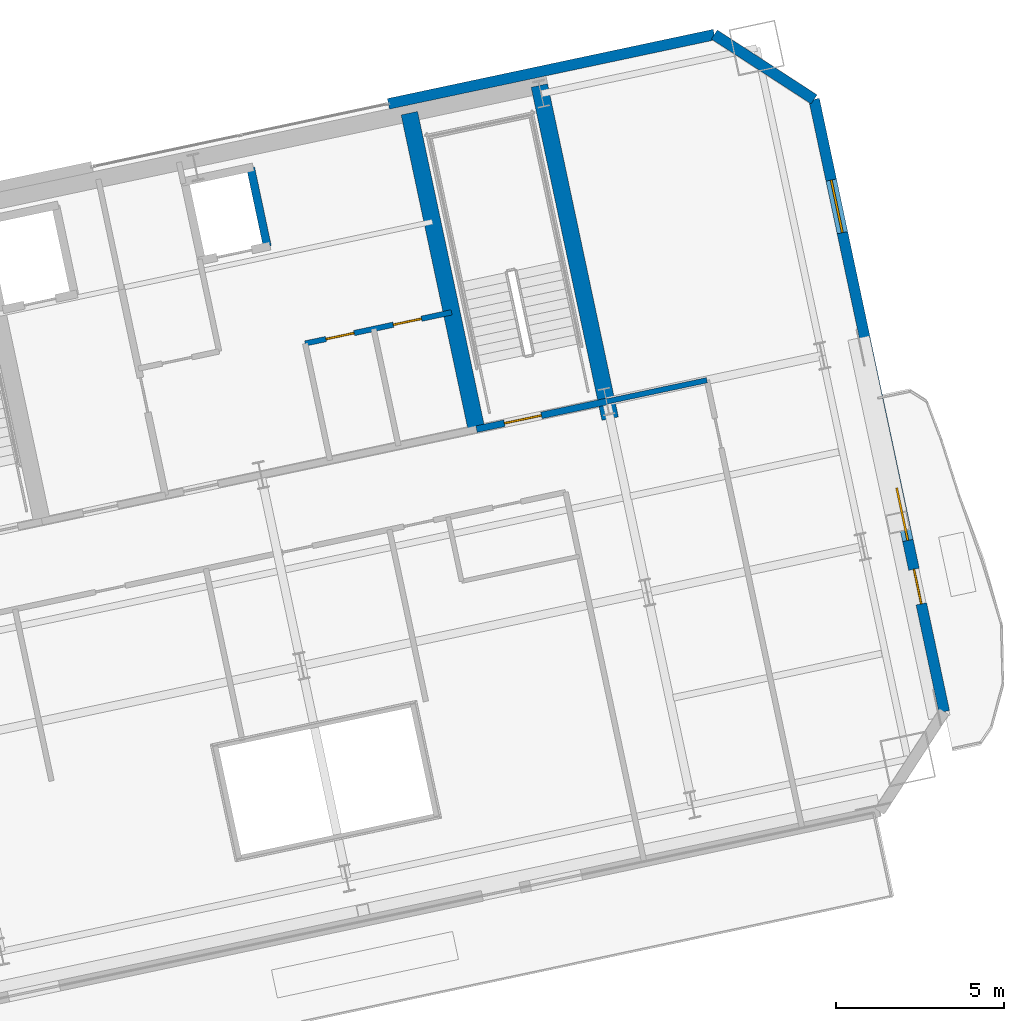
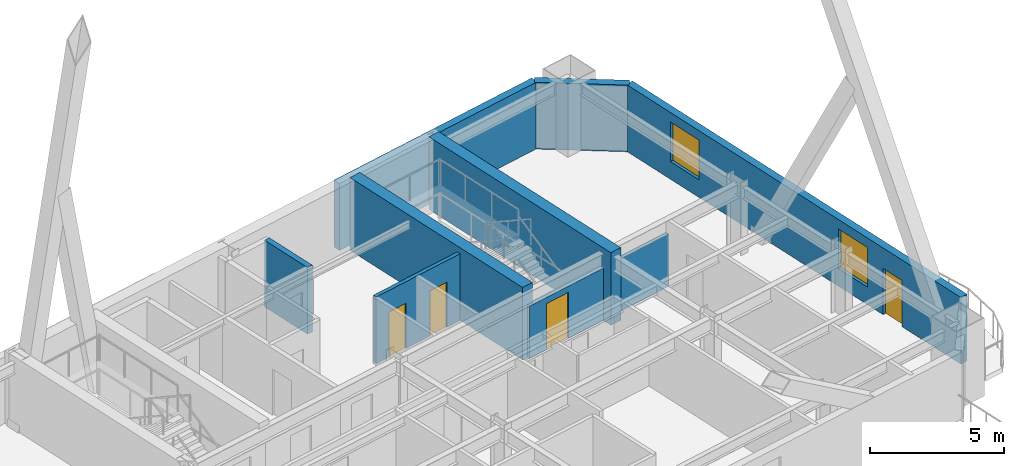
# One storey, part 15 of 22: 9 walls, 4 doors, 2 windows, 6 openings.
"""IFC4 building model written with IfcOpenShell, lengths in metres."""

from ifc_helpers import new_model, si_unit, direction, frame, frame_2d, origin, place, context, subcontext, project, spatial, rectangle, extrude, material, layer, layer_set, type_object, element, fill, save


model = new_model("IFC4")

# Units and contexts
model_context = context("Model", 3, precision=1e-05, world=origin(), true_north=direction((0.0, 1.0)))
body_context = subcontext(model_context, "Body", "Model", "MODEL_VIEW")
ifc_project = project(units=[si_unit("LENGTHUNIT", "METRE"), si_unit("AREAUNIT", "SQUARE_METRE"), si_unit("VOLUMEUNIT", "CUBIC_METRE"), si_unit("PLANEANGLEUNIT", "RADIAN"), si_unit("MASSUNIT", "GRAM", prefix="KILO")], contexts=[model_context])

# Site, building, storey
site_placement = place(None, origin())
site = spatial("IfcSite", under=ifc_project, at=site_placement, CompositionType="ELEMENT")
building_placement = place(site_placement, origin())
building = spatial("IfcBuilding", under=site, at=building_placement, Name="Haevon Station Towers", CompositionType="ELEMENT")
storey_placement = place(building_placement, frame((0.0, 0.0, 113.10009765625)))
storey = spatial("IfcBuildingStorey", under=building, at=storey_placement, Name="L30", CompositionType="ELEMENT", Elevation=113.10009765625)

# Wall, opening, door
ifc_material_1 = material(Name="Gypsum board on steel stud", Category="steel")
ifc_layer_1 = layer(ifc_material_1, 0.199951171875)
ifc_layer_set_1 = layer_set([ifc_layer_1], Name="Gypsum board on steel stud")
wall_type_1 = type_object("IfcWallType", Name="WL-COR200", PredefinedType="PARTITIONING", material=ifc_layer_set_1)
wall_1_placement = place(storey_placement, frame((115.4296875, 40.9873046875, 0.0), z_axis=(0.0, 0.0, 1.0), x_axis=(0.978146596989, 0.207916413008, 0.0)))
wall_1 = element("IfcWall", 1, at=wall_1_placement, inside=storey, type_object=wall_type_1, Name="WL-ST-ST4-L30", PredefinedType="PARTITIONING", context=body_context, shape_type="SweptSolid", body=[
    extrude(rectangle(XDim=3.9501953125, YDim=0.199951171875, at=frame_2d((1.97509765625, 0.0))), origin(), (0.0, 0.0, 1.0), 2.3798828125),
])
opening_1_placement = place(wall_1_placement, frame((0.85009765625, 0.0, 0.0)))
opening_1 = element("IfcOpeningElement", 2, at=opening_1_placement, cuts=wall_1, Name="Opening DR-ST-ST4-L30", PredefinedType="OPENING", context=body_context, shape_type="SweptSolid", body=[
    extrude(rectangle(XDim=1.1201171875, YDim=2.10009765625, at=frame_2d((0.56005859375, 1.050048828125))), frame((0.0, 0.10986328125, 0.0), z_axis=(0.0, -1.0, 0.0), x_axis=(1.0, 0.0, 0.0)), (0.0, 0.0, 1.0), 0.219970703125),
])
ifc_material_2 = material(Name="Engineered oak timber", Category="wood")
door_type_1 = type_object("IfcDoorType", Name="DR-ST-1120", OperationType="NOTDEFINED", PredefinedType="DOOR", material=ifc_material_2)
door_1_placement = place(opening_1_placement, origin())
door_1 = element("IfcDoor", 3, at=door_1_placement, inside=storey, type_object=door_type_1, Name="L30 Escape Stair ST4 Fire Door", OperationType="SINGLE_SWING_LEFT", OverallHeight=2.10009765625, OverallWidth=1.1201171875, PredefinedType="DOOR", context=body_context, shape_type="SweptSolid", body=[
    extrude(rectangle(XDim=1.1201171875, YDim=2.10009765625, at=frame_2d((0.56005859375, 1.050048828125))), frame((0.0, 0.02490234375, 0.0), z_axis=(0.0, -1.0, 0.0), x_axis=(1.0, 0.0, 0.0)), (0.0, 0.0, 1.0), 0.050048828125),
])
fill(opening_1, door_1)

# Walls
ifc_material_3 = material(Name="Concrete C60/75", Category="concrete")
ifc_layer_2 = layer(ifc_material_3, 0.5)
ifc_layer_set_2 = layer_set([ifc_layer_2], Name="Concrete C60/75")
wall_type_2 = type_object("IfcWallType", Name="WL-CR500", PredefinedType="SHEAR", material=ifc_layer_set_2)
wall_2_placement = place(storey_placement, frame((119.401611328125, 41.2998046875, 0.0), z_axis=(0.0, 0.0, 1.0), x_axis=(-0.207904342798, 0.978149162575, 0.0)))
element("IfcWall", 4, at=wall_2_placement, inside=storey, type_object=wall_type_2, Name="WL-T2CR-L30-E", PredefinedType="SHEAR", context=body_context, shape_type="SweptSolid", body=[
    extrude(rectangle(XDim=10.1201171875, YDim=0.5, at=frame_2d((5.06005859375, 0.0))), origin(), (0.0, 0.0, 1.0), 3.2998046875),
])
wall_3_placement = place(storey_placement, frame((115.4296875, 40.9873046875, 0.0), z_axis=(0.0, 0.0, 1.0), x_axis=(-0.207903162969, 0.978149413345, 0.0)))
element("IfcWall", 5, at=wall_3_placement, inside=storey, type_object=wall_type_2, Name="WL-T2CR-L30-M2", PredefinedType="SHEAR", context=body_context, shape_type="SweptSolid", body=[
    extrude(rectangle(XDim=9.599853515625, YDim=0.5, at=frame_2d((4.7998046875, 0.0))), origin(), (0.0, 0.0, 1.0), 3.2998046875),
])
ifc_material_4 = material(Name="Precast concrete C45/55", Category="concrete")
ifc_layer_3 = layer(ifc_material_4, 0.320068359375)
ifc_layer_set_3 = layer_set([ifc_layer_3], Name="Precast concrete C45/55")
wall_type_3 = type_object("IfcWallType", Name="WL-EXT-PIER320", PredefinedType="SOLIDWALL", material=ifc_layer_set_3)
wall_4_placement = place(storey_placement, frame((112.812744140625, 50.654541015625, 0.0), z_axis=(0.0, 0.0, 1.0), x_axis=(0.978151830709, 0.207891789353, 0.0)))
element("IfcWall", 6, at=wall_4_placement, inside=storey, type_object=wall_type_3, Name="WL-T2-L30-N2", PredefinedType="SOLIDWALL", context=body_context, shape_type="SweptSolid", body=[
    extrude(rectangle(XDim=9.89990234375, YDim=0.320068359375, at=frame_2d((4.949951171875, 0.0))), origin(), (0.0, 0.0, 1.0), 3.02978515625),
])
wall_5_placement = place(storey_placement, frame((122.496337890625, 52.712646484375, 0.0), z_axis=(0.0, 0.0, 1.0), x_axis=(0.838672309694, -0.544636352948, 0.0)))
element("IfcWall", 7, at=wall_5_placement, inside=storey, type_object=wall_type_3, Name="WL-T2-L30-NEC", PredefinedType="SOLIDWALL", context=body_context, shape_type="SweptSolid", body=[
    extrude(rectangle(XDim=3.535400390625, YDim=0.320068359375, at=frame_2d((1.767578125, 0.0))), origin(), (0.0, 0.0, 1.0), 3.02978515625),
])

# Wall, openings, door, windows
wall_6_placement = place(storey_placement, frame((125.46142578125, 50.787109375, 0.0), z_axis=(0.0, 0.0, 1.0), x_axis=(0.207912600897, -0.97814740729, 0.0)))
wall_6 = element("IfcWall", 8, at=wall_6_placement, inside=storey, type_object=wall_type_3, Name="WL-T2-L30-E", PredefinedType="SOLIDWALL", context=body_context, shape_type="SweptSolid", body=[
    extrude(rectangle(XDim=18.60009765625, YDim=0.320068359375, at=frame_2d((9.300048828125, 0.0))), origin(), (0.0, 0.0, 1.0), 3.02978515625),
])
opening_2_placement = place(wall_6_placement, frame((14.27490234375, 0.0, 0.0)))
opening_2 = element("IfcOpeningElement", 9, at=opening_2_placement, cuts=wall_6, Name="Opening DR-T2-SCAL-L30-E", PredefinedType="OPENING", context=body_context, shape_type="SweptSolid", body=[
    extrude(rectangle(XDim=1.050048828125, YDim=2.10009765625, at=frame_2d((0.52490234375, 1.050048828125))), frame((0.0, 0.169921875, 0.0), z_axis=(0.0, -1.0, 0.0), x_axis=(1.0, 0.0, 0.0)), (0.0, 0.0, 1.0), 0.340087890625),
])
opening_3_placement = place(wall_6_placement, frame((2.449951171875, 0.0, 0.800048828125)))
opening_3 = element("IfcOpeningElement", 10, at=opening_3_placement, cuts=wall_6, Name="Opening WN-END160", PredefinedType="OPENING", context=body_context, shape_type="SweptSolid", body=[
    extrude(rectangle(XDim=1.60009765625, YDim=1.800048828125, at=frame_2d((0.800048828125, 0.89990234375))), frame((0.0, 0.169921875, 0.0), z_axis=(0.0, -1.0, 0.0), x_axis=(1.0, 0.0, 0.0)), (0.0, 0.0, 1.0), 0.340087890625),
])
opening_4_placement = place(wall_6_placement, frame((11.800048828125, 0.0, 0.800048828125)))
opening_4 = element("IfcOpeningElement", 11, at=opening_4_placement, cuts=wall_6, Name="Opening WN-END160", PredefinedType="OPENING", context=body_context, shape_type="SweptSolid", body=[
    extrude(rectangle(XDim=1.60009765625, YDim=1.800048828125, at=frame_2d((0.800048828125, 0.89990234375))), frame((0.0, 0.169921875, 0.0), z_axis=(0.0, -1.0, 0.0), x_axis=(1.0, 0.0, 0.0)), (0.0, 0.0, 1.0), 0.340087890625),
])
ifc_material_5 = material(Name="Thermally broken anodised aluminium and laminated safety glass", Category="aluminium")
door_type_2 = type_object("IfcDoorType", Name="DR-BALC-1050", OperationType="NOTDEFINED", PredefinedType="DOOR", material=ifc_material_5)
door_2_placement = place(opening_2_placement, origin())
door_2 = element("IfcDoor", 12, at=door_2_placement, inside=storey, type_object=door_type_2, Name="Tower 2 L30 East Scalloped Balcony Door", OperationType="SINGLE_SWING_RIGHT", OverallHeight=2.10009765625, OverallWidth=1.050048828125, PredefinedType="DOOR", context=body_context, shape_type="SweptSolid", body=[
    extrude(rectangle(XDim=1.050048828125, YDim=2.10009765625, at=frame_2d((0.52490234375, 1.050048828125))), frame((0.0, 0.02490234375, 0.0), z_axis=(0.0, -1.0, 0.0), x_axis=(1.0, 0.0, 0.0)), (0.0, 0.0, 1.0), 0.050048828125),
])
fill(opening_2, door_2)
ifc_material_6 = material(Name="Low-E triple glazing in thermally broken aluminium", Category="aluminium")
window_type = type_object("IfcWindowType", Name="WN-END160", PartitioningType="SINGLE_PANEL", PredefinedType="WINDOW", material=ifc_material_6)
window_1_placement = place(opening_3_placement, origin())
window_1 = element("IfcWindow", 13, at=window_1_placement, inside=storey, type_object=window_type, Name="WN-T2-L30-E01", OverallHeight=1.800048828125, OverallWidth=1.60009765625, PartitioningType="SINGLE_PANEL", PredefinedType="WINDOW", context=body_context, shape_type="SweptSolid", body=[
    extrude(rectangle(XDim=1.60009765625, YDim=1.800048828125, at=frame_2d((0.800048828125, 0.89990234375))), frame((0.0, 0.030029296875, 0.0), z_axis=(0.0, -1.0, 0.0), x_axis=(1.0, 0.0, 0.0)), (0.0, 0.0, 1.0), 0.06005859375),
])
fill(opening_3, window_1)
window_2_placement = place(opening_4_placement, origin())
window_2 = element("IfcWindow", 14, at=window_2_placement, inside=storey, type_object=window_type, Name="WN-T2-L30-E02", OverallHeight=1.800048828125, OverallWidth=1.60009765625, PartitioningType="SINGLE_PANEL", PredefinedType="WINDOW", context=body_context, shape_type="SweptSolid", body=[
    extrude(rectangle(XDim=1.60009765625, YDim=1.800048828125, at=frame_2d((0.800048828125, 0.89990234375))), frame((0.0, 0.030029296875, 0.0), z_axis=(0.0, -1.0, 0.0), x_axis=(1.0, 0.0, 0.0)), (0.0, 0.0, 1.0), 0.06005859375),
])
fill(opening_4, window_2)

# Wall, openings, doors
ifc_layer_4 = layer(ifc_material_1, 0.159912109375)
ifc_layer_set_4 = layer_set([ifc_layer_4], Name="Gypsum board on steel stud")
wall_type_4 = type_object("IfcWallType", Name="WL-PRT160", PredefinedType="PARTITIONING", material=ifc_layer_set_4)
wall_7_placement = place(storey_placement, frame((110.3388671875, 43.534423828125, 0.0), z_axis=(0.0, 0.0, 1.0), x_axis=(0.978143929138, 0.207928963567, 0.0)))
wall_7 = element("IfcWall", 15, at=wall_7_placement, inside=storey, type_object=wall_type_4, Name="WL-T2CW-L30-07", PredefinedType="PARTITIONING", context=body_context, shape_type="SweptSolid", body=[
    extrude(rectangle(XDim=4.449951171875, YDim=0.159912109375, at=frame_2d((2.22509765625, 0.0))), origin(), (0.0, 0.0, 1.0), 3.02978515625),
])
opening_5_placement = place(wall_7_placement, frame((0.635009765625, 0.0, 0.0)))
opening_5 = element("IfcOpeningElement", 16, at=opening_5_placement, cuts=wall_7, Name="Opening DR-WL-T2CW-L30-07-1", PredefinedType="OPENING", context=body_context, shape_type="SweptSolid", body=[
    extrude(rectangle(XDim=0.85009765625, YDim=2.050048828125, at=frame_2d((0.425048828125, 1.02490234375))), frame((0.0, 0.08984375, 0.0), z_axis=(0.0, -1.0, 0.0), x_axis=(1.0, 0.0, 0.0)), (0.0, 0.0, 1.0), 0.179931640625),
])
opening_6_placement = place(wall_7_placement, frame((2.679931640625, 0.0, 0.0)))
opening_6 = element("IfcOpeningElement", 17, at=opening_6_placement, cuts=wall_7, Name="Opening DR-WL-T2CW-L30-07-2", PredefinedType="OPENING", context=body_context, shape_type="SweptSolid", body=[
    extrude(rectangle(XDim=0.85009765625, YDim=2.050048828125, at=frame_2d((0.425048828125, 1.02490234375))), frame((0.0, 0.08984375, 0.0), z_axis=(0.0, -1.0, 0.0), x_axis=(1.0, 0.0, 0.0)), (0.0, 0.0, 1.0), 0.179931640625),
])
door_type_3 = type_object("IfcDoorType", Name="DR-FD30-850", OperationType="NOTDEFINED", PredefinedType="DOOR", material=ifc_material_2)
door_3_placement = place(opening_5_placement, origin())
door_3 = element("IfcDoor", 18, at=door_3_placement, inside=storey, type_object=door_type_3, Name="L30 Tower 2 Core Room Door 7-1", OperationType="SINGLE_SWING_RIGHT", OverallHeight=2.050048828125, OverallWidth=0.85009765625, PredefinedType="DOOR", context=body_context, shape_type="SweptSolid", body=[
    extrude(rectangle(XDim=0.85009765625, YDim=2.050048828125, at=frame_2d((0.425048828125, 1.02490234375))), frame((0.0, 0.02490234375, 0.0), z_axis=(0.0, -1.0, 0.0), x_axis=(1.0, 0.0, 0.0)), (0.0, 0.0, 1.0), 0.050048828125),
])
fill(opening_5, door_3)
door_4_placement = place(opening_6_placement, origin())
door_4 = element("IfcDoor", 19, at=door_4_placement, inside=storey, type_object=door_type_3, Name="L30 Tower 2 Core Room Door 7-2", OperationType="SINGLE_SWING_LEFT", OverallHeight=2.050048828125, OverallWidth=0.85009765625, PredefinedType="DOOR", context=body_context, shape_type="SweptSolid", body=[
    extrude(rectangle(XDim=0.85009765625, YDim=2.050048828125, at=frame_2d((0.425048828125, 1.02490234375))), frame((0.0, 0.02490234375, 0.0), z_axis=(0.0, -1.0, 0.0), x_axis=(1.0, 0.0, 0.0)), (0.0, 0.0, 1.0), 0.050048828125),
])
fill(opening_6, door_4)

# Walls
wall_8_placement = place(storey_placement, frame((119.29345703125, 41.80859375, 0.0), z_axis=(0.0, 0.0, 1.0), x_axis=(0.978154782045, 0.207877902534, 0.0)))
element("IfcWall", 20, at=wall_8_placement, inside=storey, type_object=wall_type_4, Name="WL-T2PT-L30-03", PredefinedType="PARTITIONING", context=body_context, shape_type="SweptSolid", body=[
    extrude(rectangle(XDim=3.050048828125, YDim=0.159912109375, at=frame_2d((1.52490234375, 0.0))), origin(), (0.0, 0.0, 1.0), 2.3798828125),
])
ifc_material_7 = material(Name="Concrete C40/50", Category="concrete")
ifc_layer_5 = layer(ifc_material_7, 0.239990234375)
ifc_layer_set_5 = layer_set([ifc_layer_5], Name="Concrete C40/50")
wall_type_5 = type_object("IfcWallType", Name="WL-SHF240", PredefinedType="PARTITIONING", material=ifc_layer_set_5)
wall_9_placement = place(storey_placement, frame((109.2158203125, 46.413818359375, 0.0), z_axis=(0.0, 0.0, 1.0), x_axis=(-0.207917150959, 0.978146440129, 0.0)))
element("IfcWall", 21, at=wall_9_placement, inside=storey, type_object=wall_type_5, Name="WL-SHF-PL8-L30-E", PredefinedType="PARTITIONING", context=body_context, shape_type="SweptSolid", body=[
    extrude(rectangle(XDim=2.400146484375, YDim=0.239990234375, at=frame_2d((1.2001953125, 0.0))), origin(), (0.0, 0.0, 1.0), 3.02978515625),
])

save(model, "model.ifc")
